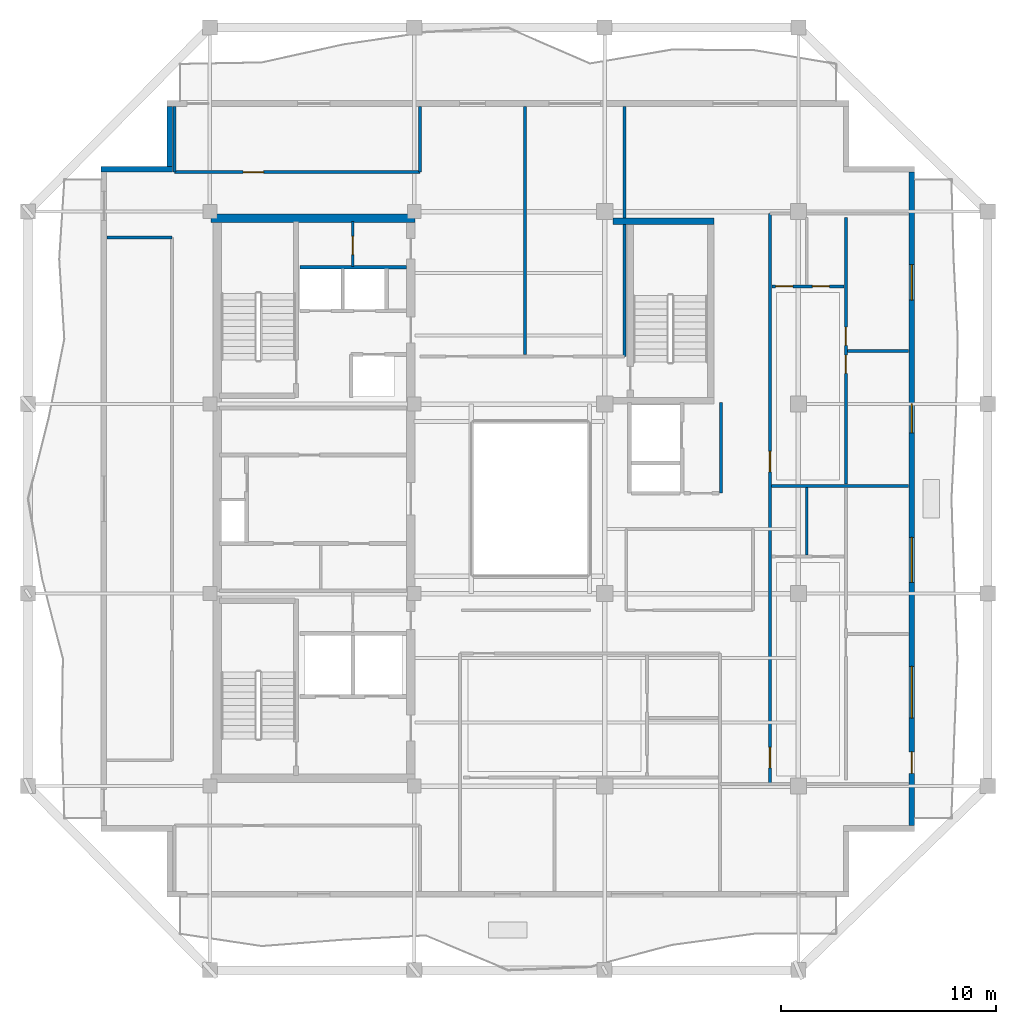
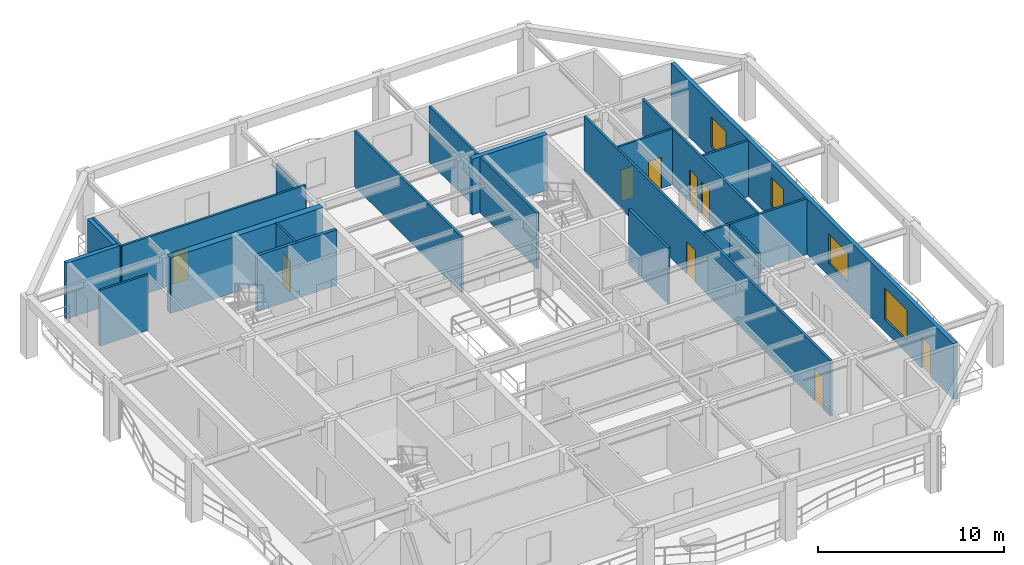
# One storey, part 5 of 10: 20 walls, 9 doors, 4 windows, 13 openings.
"""IFC4 building model written with IfcOpenShell, lengths in metres."""

from ifc_helpers import new_model, si_unit, direction, frame, frame_2d, origin, place, context, subcontext, project, spatial, rectangle, extrude, material, layer, layer_set, type_object, element, fill, save


model = new_model("IFC4")

# Units and contexts
model_context = context("Model", 3, precision=1e-05, world=origin(), true_north=direction((0.0, 1.0)))
body_context = subcontext(model_context, "Body", "Model", "MODEL_VIEW")
ifc_project = project(units=[si_unit("LENGTHUNIT", "METRE"), si_unit("AREAUNIT", "SQUARE_METRE"), si_unit("VOLUMEUNIT", "CUBIC_METRE"), si_unit("PLANEANGLEUNIT", "RADIAN"), si_unit("MASSUNIT", "GRAM", prefix="KILO")], contexts=[model_context])

# Site, building, storey
site_placement = place(None, origin())
site = spatial("IfcSite", under=ifc_project, at=site_placement, CompositionType="ELEMENT")
building_placement = place(site_placement, origin())
building = spatial("IfcBuilding", under=site, at=building_placement, Name="Kundavana Baori Tower", CompositionType="ELEMENT")
storey_placement = place(building_placement, frame((0.0, 0.0, 296.0)))
storey = spatial("IfcBuildingStorey", under=building, at=storey_placement, Name="L73", CompositionType="ELEMENT", Elevation=296.0)

# Wall
ifc_material_1 = material(Name="Concrete C50/60", Category="concrete")
ifc_layer_1 = layer(ifc_material_1, 0.39990234375, Name="WL-CORE-400")
ifc_layer_set_1 = layer_set([ifc_layer_1], Name="Concrete C50/60")
wall_type_1 = type_object("IfcWallType", Name="WL-CORE-400", PredefinedType="SHEAR", material=ifc_layer_set_1)
wall_1_placement = place(storey_placement, frame((15.5, 41.639892578125, 0.0), z_axis=(0.0, 0.0, 1.0), x_axis=(1.0, 0.0, 0.0)))
element("IfcWall", 1, at=wall_1_placement, inside=storey, type_object=wall_type_1, Name="L73 Offset Core North Shear Wall", PredefinedType="SHEAR", context=body_context, shape_type="SweptSolid", body=[
    extrude(rectangle(XDim=9.47998046875, YDim=0.39990234375, at=frame_2d((4.739990234375, 0.0))), origin(), (0.0, 0.0, 1.0), 3.659912109375),
])

# Wall, openings, door, windows
ifc_material_2 = material(Name="Kiln-Fired Terracotta Brick-Slip Masonry on Concrete C40/50", Category="masonry")
ifc_layer_2 = layer(ifc_material_2, 0.260009765625, Name="WL-EXT-BRK-260")
ifc_layer_set_2 = layer_set([ifc_layer_2], Name="Kiln-Fired Terracotta Brick-Slip Masonry on Concrete C40/50")
wall_type_2 = type_object("IfcWallType", Name="WL-EXT-BRK-260", PredefinedType="SOLIDWALL", material=ifc_layer_set_2)
wall_2_placement = place(storey_placement, frame((48.070068359375, 13.409912109375, 0.0), z_axis=(0.0, 0.0, 1.0), x_axis=(0.0, 1.0, 0.0)))
wall_2 = element("IfcWall", 2, at=wall_2_placement, inside=storey, type_object=wall_type_2, Name="L73 Exterior Insulated Facade Wall 04", PredefinedType="SOLIDWALL", context=body_context, shape_type="SweptSolid", body=[
    extrude(rectangle(XDim=30.380126953125, YDim=0.260009765625, at=frame_2d((15.18994140625, 0.0))), origin(), (0.0, 0.0, 1.0), 3.659912109375),
])
opening_1_placement = place(wall_2_placement, frame((2.429931640625, 0.0, 0.0)))
opening_1 = element("IfcOpeningElement", 3, at=opening_1_placement, cuts=wall_2, Name="Opening BD-1", PredefinedType="OPENING", context=body_context, shape_type="SweptSolid", body=[
    extrude(rectangle(XDim=1.0, YDim=2.050048828125, at=frame_2d((0.5, 1.02490234375))), frame((0.0, 0.14013671875, 0.0), z_axis=(0.0, -1.0, 0.0), x_axis=(1.0, 0.0, 0.0)), (0.0, 0.0, 1.0), 0.280029296875),
])
opening_2_placement = place(wall_2_placement, frame((5.001953125, 0.0, 0.800048828125)))
opening_2 = element("IfcOpeningElement", 4, at=opening_2_placement, cuts=wall_2, Name="Opening W-04", PredefinedType="OPENING", context=body_context, shape_type="SweptSolid", body=[
    extrude(rectangle(XDim=2.39990234375, YDim=2.050048828125, at=frame_2d((1.199951171875, 1.02490234375))), frame((0.0, 0.14013671875, 0.0), z_axis=(0.0, -1.0, 0.0), x_axis=(1.0, 0.0, 0.0)), (0.0, 0.0, 1.0), 0.280029296875),
])
opening_3_placement = place(wall_2_placement, frame((11.302001953125, 0.0, 0.800048828125)))
opening_3 = element("IfcOpeningElement", 5, at=opening_3_placement, cuts=wall_2, Name="Opening W-05", PredefinedType="OPENING", context=body_context, shape_type="SweptSolid", body=[
    extrude(rectangle(XDim=2.10009765625, YDim=1.949951171875, at=frame_2d((1.050048828125, 0.97509765625))), frame((0.0, 0.14013671875, 0.0), z_axis=(0.0, -1.0, 0.0), x_axis=(1.0, 0.0, 0.0)), (0.0, 0.0, 1.0), 0.280029296875),
])
opening_4_placement = place(wall_2_placement, frame((18.251953125, 0.0, 0.800048828125)))
opening_4 = element("IfcOpeningElement", 6, at=opening_4_placement, cuts=wall_2, Name="Opening W-07", PredefinedType="OPENING", context=body_context, shape_type="SweptSolid", body=[
    extrude(rectangle(XDim=1.35009765625, YDim=1.89990234375, at=frame_2d((0.675048828125, 0.949951171875))), frame((0.0, 0.14013671875, 0.0), z_axis=(0.0, -1.0, 0.0), x_axis=(1.0, 0.0, 0.0)), (0.0, 0.0, 1.0), 0.280029296875),
])
opening_5_placement = place(wall_2_placement, frame((24.427001953125, 0.0, 0.800048828125)))
opening_5 = element("IfcOpeningElement", 7, at=opening_5_placement, cuts=wall_2, Name="Opening W-08", PredefinedType="OPENING", context=body_context, shape_type="SweptSolid", body=[
    extrude(rectangle(XDim=1.64990234375, YDim=1.949951171875, at=frame_2d((0.824951171875, 0.97509765625))), frame((0.0, 0.14013671875, 0.0), z_axis=(0.0, -1.0, 0.0), x_axis=(1.0, 0.0, 0.0)), (0.0, 0.0, 1.0), 0.280029296875),
])
ifc_material_3 = material(Name="Architectural Patinated Bronze Metalwork")
door_type_1 = type_object("IfcDoorType", Name="DR-EXT-LOG-1000", OperationType="NOTDEFINED", PredefinedType="DOOR", material=ifc_material_3)
door_1_placement = place(opening_1_placement, frame((1.0, 0.0, 0.0), z_axis=(0.0, 0.0, 1.0), x_axis=(-1.0, 0.0, 0.0)))
door_1 = element("IfcDoor", 8, at=door_1_placement, inside=storey, type_object=door_type_1, Name="L73 Loggia Balcony Access Door E", OperationType="SINGLE_SWING_RIGHT", OverallHeight=2.050048828125, OverallWidth=1.0, PredefinedType="DOOR", context=body_context, shape_type="SweptSolid", body=[
    extrude(rectangle(XDim=1.0, YDim=2.050048828125, at=frame_2d((0.5, 1.02490234375))), frame((0.0, 0.02490234375, 0.0), z_axis=(0.0, -1.0, 0.0), x_axis=(1.0, 0.0, 0.0)), (0.0, 0.0, 1.0), 0.050048828125),
])
fill(opening_1, door_1)
ifc_material_4 = material(Name="Double-Glazed Solar-Control Low-E Insulated Glass", Category="glass")
window_type_1 = type_object("IfcWindowType", Name="WIN-LOG-1350x1900", PartitioningType="SINGLE_PANEL", PredefinedType="WINDOW", material=ifc_material_4)
window_1_placement = place(opening_4_placement, origin())
window_1 = element("IfcWindow", 9, at=window_1_placement, inside=storey, type_object=window_type_1, Name="L73 Recessed Loggia Window E-3", OverallHeight=1.89990234375, OverallWidth=1.35009765625, PartitioningType="SINGLE_PANEL", PredefinedType="WINDOW", context=body_context, shape_type="SweptSolid", body=[
    extrude(rectangle(XDim=1.35009765625, YDim=1.89990234375, at=frame_2d((0.675048828125, 0.949951171875))), frame((0.0, 0.030029296875, 0.0), z_axis=(0.0, -1.0, 0.0), x_axis=(1.0, 0.0, 0.0)), (0.0, 0.0, 1.0), 0.06005859375),
])
fill(opening_4, window_1)
ifc_material_5 = material(Name="Double-Glazed Solar-Control Low-E Insulated Glass", Category="glass")
window_type_2 = type_object("IfcWindowType", Name="WIN-LOG-1650x1950", PartitioningType="SINGLE_PANEL", PredefinedType="WINDOW", material=ifc_material_5)
window_2_placement = place(opening_5_placement, origin())
window_2 = element("IfcWindow", 10, at=window_2_placement, inside=storey, type_object=window_type_2, Name="L73 Recessed Loggia Window E-4", OverallHeight=1.949951171875, OverallWidth=1.64990234375, PartitioningType="SINGLE_PANEL", PredefinedType="WINDOW", context=body_context, shape_type="SweptSolid", body=[
    extrude(rectangle(XDim=1.64990234375, YDim=1.949951171875, at=frame_2d((0.824951171875, 0.97509765625))), frame((0.0, 0.030029296875, 0.0), z_axis=(0.0, -1.0, 0.0), x_axis=(1.0, 0.0, 0.0)), (0.0, 0.0, 1.0), 0.06005859375),
])
fill(opening_5, window_2)
ifc_material_6 = material(Name="Double-Glazed Solar-Control Low-E Insulated Glass", Category="glass")
window_type_3 = type_object("IfcWindowType", Name="WIN-LOG-2100x1950", PartitioningType="SINGLE_PANEL", PredefinedType="WINDOW", material=ifc_material_6)
window_3_placement = place(opening_3_placement, origin())
window_3 = element("IfcWindow", 11, at=window_3_placement, inside=storey, type_object=window_type_3, Name="L73 Recessed Loggia Window E-2", OverallHeight=1.949951171875, OverallWidth=2.10009765625, PartitioningType="SINGLE_PANEL", PredefinedType="WINDOW", context=body_context, shape_type="SweptSolid", body=[
    extrude(rectangle(XDim=2.10009765625, YDim=1.949951171875, at=frame_2d((1.050048828125, 0.97509765625))), frame((0.0, 0.030029296875, 0.0), z_axis=(0.0, -1.0, 0.0), x_axis=(1.0, 0.0, 0.0)), (0.0, 0.0, 1.0), 0.06005859375),
])
fill(opening_3, window_3)
ifc_material_7 = material(Name="Double-Glazed Solar-Control Low-E Insulated Glass", Category="glass")
window_type_4 = type_object("IfcWindowType", Name="WIN-LOG-2400x2050", PartitioningType="SINGLE_PANEL", PredefinedType="WINDOW", material=ifc_material_7)
window_4_placement = place(opening_2_placement, origin())
window_4 = element("IfcWindow", 12, at=window_4_placement, inside=storey, type_object=window_type_4, Name="L73 Recessed Loggia Window E-1", OverallHeight=2.050048828125, OverallWidth=2.39990234375, PartitioningType="SINGLE_PANEL", PredefinedType="WINDOW", context=body_context, shape_type="SweptSolid", body=[
    extrude(rectangle(XDim=2.39990234375, YDim=2.050048828125, at=frame_2d((1.199951171875, 1.02490234375))), frame((0.0, 0.030029296875, 0.0), z_axis=(0.0, -1.0, 0.0), x_axis=(1.0, 0.0, 0.0)), (0.0, 0.0, 1.0), 0.06005859375),
])
fill(opening_2, window_4)

# Walls
wall_3_placement = place(storey_placement, frame((13.580078125, 46.840087890625, 0.0), z_axis=(0.0, 0.0, 1.0), x_axis=(0.0, -1.0, 0.0)))
element("IfcWall", 13, at=wall_3_placement, inside=storey, type_object=wall_type_2, Name="L73 Exterior Insulated Facade Wall 08", PredefinedType="SOLIDWALL", context=body_context, shape_type="SweptSolid", body=[
    extrude(rectangle(XDim=2.7900390625, YDim=0.260009765625, at=frame_2d((1.39501953125, 0.0))), origin(), (0.0, 0.0, 1.0), 3.659912109375),
])
wall_4_placement = place(storey_placement, frame((13.7099609375, 43.919921875, 0.0), z_axis=(0.0, 0.0, 1.0), x_axis=(-1.0, 0.0, 0.0)))
element("IfcWall", 14, at=wall_4_placement, inside=storey, type_object=wall_type_2, Name="L73 Exterior Insulated Facade Wall 09", PredefinedType="SOLIDWALL", context=body_context, shape_type="SweptSolid", body=[
    extrude(rectangle(XDim=3.31005859375, YDim=0.260009765625, at=frame_2d((1.655029296875, 0.0))), origin(), (0.0, 0.0, 1.0), 3.659912109375),
])

# Wall, opening, door
ifc_material_8 = material(Name="Acoustic Gypsum Plasterboard on Galvanised Steel Studs", Category="steel")
ifc_layer_3 = layer(ifc_material_8, 0.1201171875, Name="WL-PART-120")
ifc_layer_set_3 = layer_set([ifc_layer_3], Name="Acoustic Gypsum Plasterboard on Galvanised Steel Studs")
wall_type_3 = type_object("IfcWallType", Name="WL-PART-120", PredefinedType="PARTITIONING", material=ifc_layer_set_3)
wall_5_placement = place(storey_placement, frame((22.10009765625, 39.39990234375, 0.0), z_axis=(0.0, 0.0, 1.0), x_axis=(0.0, 1.0, 0.0)))
wall_5 = element("IfcWall", 15, at=wall_5_placement, inside=storey, type_object=wall_type_3, Name="WL-L73-CSRV-D1", PredefinedType="PARTITIONING", context=body_context, shape_type="SweptSolid", body=[
    extrude(rectangle(XDim=2.080078125, YDim=0.1201171875, at=frame_2d((1.0400390625, 0.0))), origin(), (0.0, 0.0, 1.0), 3.659912109375),
])
opening_6_placement = place(wall_5_placement, frame((0.550048828125, 0.0, 0.0)))
opening_6 = element("IfcOpeningElement", 16, at=opening_6_placement, cuts=wall_5, Name="Opening FD-085", PredefinedType="OPENING", context=body_context, shape_type="SweptSolid", body=[
    extrude(rectangle(XDim=0.85009765625, YDim=2.06005859375, at=frame_2d((0.425048828125, 1.030029296875))), frame((0.0, 0.070068359375, 0.0), z_axis=(0.0, -1.0, 0.0), x_axis=(1.0, 0.0, 0.0)), (0.0, 0.0, 1.0), 0.14013671875),
])
ifc_material_9 = material(Name="Galvanised Steel Fire-Rated Door Leaf", Category="steel")
door_type_2 = type_object("IfcDoorType", Name="DR-FD60-850", OperationType="NOTDEFINED", PredefinedType="DOOR", material=ifc_material_9)
door_2_placement = place(opening_6_placement, origin())
door_2 = element("IfcDoor", 17, at=door_2_placement, inside=storey, type_object=door_type_2, Name="DR-L73-CSRV1", OperationType="SINGLE_SWING_LEFT", OverallHeight=2.06005859375, OverallWidth=0.85009765625, PredefinedType="DOOR", context=body_context, shape_type="SweptSolid", body=[
    extrude(rectangle(XDim=0.85009765625, YDim=2.06005859375, at=frame_2d((0.425048828125, 1.030029296875))), frame((0.0, 0.02490234375, 0.0), z_axis=(0.0, -1.0, 0.0), x_axis=(1.0, 0.0, 0.0)), (0.0, 0.0, 1.0), 0.050048828125),
])
fill(opening_6, door_2)

ifc_material_10 = material(Name="Acoustic Gypsum Plasterboard on Galvanised Steel Studs", Category="steel")
ifc_layer_4 = layer(ifc_material_10, 0.135009765625, Name="WL-PART-135")
ifc_layer_set_4 = layer_set([ifc_layer_4], Name="Acoustic Gypsum Plasterboard on Galvanised Steel Studs")
wall_type_4 = type_object("IfcWallType", Name="WL-PART-135", PredefinedType="PARTITIONING", material=ifc_layer_set_4)
wall_6_placement = place(storey_placement, frame((13.800048828125, 43.780029296875, 0.0), z_axis=(0.0, 0.0, 1.0), x_axis=(1.0, 0.0, 0.0)))
wall_6 = element("IfcWall", 18, at=wall_6_placement, inside=storey, type_object=wall_type_4, Name="WL-L73-RNC", PredefinedType="PARTITIONING", context=body_context, shape_type="SweptSolid", body=[
    extrude(rectangle(XDim=11.419921875, YDim=0.135009765625, at=frame_2d((5.7099609375, 0.0))), origin(), (0.0, 0.0, 1.0), 3.659912109375),
])
opening_7_placement = place(wall_6_placement, frame((3.199951171875, 0.0, 0.0)))
opening_7 = element("IfcOpeningElement", 19, at=opening_7_placement, cuts=wall_6, Name="Opening ID-095", PredefinedType="OPENING", context=body_context, shape_type="SweptSolid", body=[
    extrude(rectangle(XDim=0.949951171875, YDim=2.080078125, at=frame_2d((0.47509765625, 1.0400390625))), frame((0.0, 0.07763671875, 0.0), z_axis=(0.0, -1.0, 0.0), x_axis=(1.0, 0.0, 0.0)), (0.0, 0.0, 1.0), 0.155029296875),
])
ifc_material_11 = material(Name="Engineered Teak Solid-Core Timber Veneer", Category="wood")
door_type_3 = type_object("IfcDoorType", Name="DR-INT-950", OperationType="NOTDEFINED", PredefinedType="DOOR", material=ifc_material_11)
door_3_placement = place(opening_7_placement, origin())
door_3 = element("IfcDoor", 20, at=door_3_placement, inside=storey, type_object=door_type_3, Name="DR-L73-RMNW", OperationType="SINGLE_SWING_RIGHT", OverallHeight=2.080078125, OverallWidth=0.949951171875, PredefinedType="DOOR", context=body_context, shape_type="SweptSolid", body=[
    extrude(rectangle(XDim=0.949951171875, YDim=2.080078125, at=frame_2d((0.47509765625, 1.0400390625))), frame((0.0, 0.02490234375, 0.0), z_axis=(0.0, -1.0, 0.0), x_axis=(1.0, 0.0, 0.0)), (0.0, 0.0, 1.0), 0.050048828125),
])
fill(opening_7, door_3)

# Walls
wall_7_placement = place(storey_placement, frame((13.800048828125, 43.780029296875, 0.0), z_axis=(0.0, 0.0, 1.0), x_axis=(0.0, 1.0, 0.0)))
element("IfcWall", 21, at=wall_7_placement, inside=storey, type_object=wall_type_4, Name="WL-L73-RNCW", PredefinedType="PARTITIONING", context=body_context, shape_type="SweptSolid", body=[
    extrude(rectangle(XDim=3.0400390625, YDim=0.135009765625, at=frame_2d((1.52001953125, 0.0))), origin(), (0.0, 0.0, 1.0), 3.659912109375),
])
wall_8_placement = place(storey_placement, frame((25.219970703125, 43.780029296875, 0.0), z_axis=(0.0, 0.0, 1.0), x_axis=(0.0, 1.0, 0.0)))
element("IfcWall", 22, at=wall_8_placement, inside=storey, type_object=wall_type_4, Name="WL-L73-RNCE", PredefinedType="PARTITIONING", context=body_context, shape_type="SweptSolid", body=[
    extrude(rectangle(XDim=3.0400390625, YDim=0.135009765625, at=frame_2d((1.52001953125, 0.0))), origin(), (0.0, 0.0, 1.0), 3.2099609375),
])
wall_9_placement = place(storey_placement, frame((10.679931640625, 40.75, 0.0), z_axis=(0.0, 0.0, 1.0), x_axis=(1.0, 0.0, 0.0)))
element("IfcWall", 23, at=wall_9_placement, inside=storey, type_object=wall_type_4, Name="WL-L73-RWN", PredefinedType="PARTITIONING", context=body_context, shape_type="SweptSolid", body=[
    extrude(rectangle(XDim=3.02001953125, YDim=0.135009765625, at=frame_2d((1.510009765625, 0.0))), origin(), (0.0, 0.0, 1.0), 3.659912109375),
])
wall_10_placement = place(storey_placement, frame((34.719970703125, 35.219970703125, 0.0), z_axis=(0.0, 0.0, 1.0), x_axis=(0.0, 1.0, 0.0)))
element("IfcWall", 24, at=wall_10_placement, inside=storey, type_object=wall_type_4, Name="WL-L73-RNEND", PredefinedType="PARTITIONING", context=body_context, shape_type="SweptSolid", body=[
    extrude(rectangle(XDim=11.60009765625, YDim=0.135009765625, at=frame_2d((5.800048828125, 0.0))), origin(), (0.0, 0.0, 1.0), 3.659912109375),
])
wall_11_placement = place(storey_placement, frame((30.10009765625, 35.300048828125, 0.0), z_axis=(0.0, 0.0, 1.0), x_axis=(0.0, 1.0, 0.0)))
element("IfcWall", 25, at=wall_11_placement, inside=storey, type_object=wall_type_4, Name="WL-L73-RND1", PredefinedType="PARTITIONING", context=body_context, shape_type="SweptSolid", body=[
    extrude(rectangle(XDim=11.52001953125, YDim=0.135009765625, at=frame_2d((5.760009765625, 0.0))), origin(), (0.0, 0.0, 1.0), 3.659912109375),
])

# Wall, openings, doors
wall_12_placement = place(storey_placement, frame((41.47998046875, 15.35009765625, 0.0), z_axis=(0.0, 0.0, 1.0), x_axis=(0.0, 1.0, 0.0)))
wall_12 = element("IfcWall", 26, at=wall_12_placement, inside=storey, type_object=wall_type_4, Name="WL-L73-RE", PredefinedType="PARTITIONING", context=body_context, shape_type="SweptSolid", body=[
    extrude(rectangle(XDim=26.5, YDim=0.135009765625, at=frame_2d((13.25, 0.0))), origin(), (0.0, 0.0, 1.0), 3.659912109375),
])
opening_8_placement = place(wall_12_placement, frame((0.75, 0.0, 0.0)))
opening_8 = element("IfcOpeningElement", 27, at=opening_8_placement, cuts=wall_12, Name="Opening FD-095", PredefinedType="OPENING", context=body_context, shape_type="SweptSolid", body=[
    extrude(rectangle(XDim=0.949951171875, YDim=2.10009765625, at=frame_2d((0.47509765625, 1.050048828125))), frame((0.0, 0.07763671875, 0.0), z_axis=(0.0, -1.0, 0.0), x_axis=(1.0, 0.0, 0.0)), (0.0, 0.0, 1.0), 0.155029296875),
])
opening_9_placement = place(wall_12_placement, frame((14.5, 0.0, 0.0)))
opening_9 = element("IfcOpeningElement", 28, at=opening_9_placement, cuts=wall_12, Name="Opening FD-095", PredefinedType="OPENING", context=body_context, shape_type="SweptSolid", body=[
    extrude(rectangle(XDim=0.949951171875, YDim=2.10009765625, at=frame_2d((0.47509765625, 1.050048828125))), frame((0.0, 0.07763671875, 0.0), z_axis=(0.0, -1.0, 0.0), x_axis=(1.0, 0.0, 0.0)), (0.0, 0.0, 1.0), 0.155029296875),
])
ifc_material_12 = material(Name="Engineered Teak Fire-Rated Timber Door Leaf", Category="wood")
door_type_4 = type_object("IfcDoorType", Name="DR-FD60-950", OperationType="NOTDEFINED", PredefinedType="DOOR", material=ifc_material_12)
door_4_placement = place(opening_8_placement, origin())
door_4 = element("IfcDoor", 29, at=door_4_placement, inside=storey, type_object=door_type_4, Name="DR-L73-E1-ENT", OperationType="SINGLE_SWING_LEFT", OverallHeight=2.10009765625, OverallWidth=0.949951171875, PredefinedType="DOOR", context=body_context, shape_type="SweptSolid", body=[
    extrude(rectangle(XDim=0.949951171875, YDim=2.10009765625, at=frame_2d((0.47509765625, 1.050048828125))), frame((0.0, 0.02490234375, 0.0), z_axis=(0.0, -1.0, 0.0), x_axis=(1.0, 0.0, 0.0)), (0.0, 0.0, 1.0), 0.050048828125),
])
fill(opening_8, door_4)
door_5_placement = place(opening_9_placement, origin())
door_5 = element("IfcDoor", 30, at=door_5_placement, inside=storey, type_object=door_type_4, Name="DR-L73-E2-ENT", OperationType="SINGLE_SWING_LEFT", OverallHeight=2.10009765625, OverallWidth=0.949951171875, PredefinedType="DOOR", context=body_context, shape_type="SweptSolid", body=[
    extrude(rectangle(XDim=0.949951171875, YDim=2.10009765625, at=frame_2d((0.47509765625, 1.050048828125))), frame((0.0, 0.02490234375, 0.0), z_axis=(0.0, -1.0, 0.0), x_axis=(1.0, 0.0, 0.0)), (0.0, 0.0, 1.0), 0.050048828125),
])
fill(opening_9, door_5)

# Wall
wall_13_placement = place(storey_placement, frame((41.56005859375, 29.199951171875, 0.0), z_axis=(0.0, 0.0, 1.0), x_axis=(1.0, 0.0, 0.0)))
element("IfcWall", 31, at=wall_13_placement, inside=storey, type_object=wall_type_4, Name="WL-L73-RED1", PredefinedType="PARTITIONING", context=body_context, shape_type="SweptSolid", body=[
    extrude(rectangle(XDim=6.35986328125, YDim=0.135009765625, at=frame_2d((3.179931640625, 0.0))), origin(), (0.0, 0.0, 1.0), 3.659912109375),
])

# Wall, openings, doors
wall_14_placement = place(storey_placement, frame((45.00390625, 29.280029296875, 0.0), z_axis=(0.0, 0.0, 1.0), x_axis=(0.0, 1.0, 0.0)))
wall_14 = element("IfcWall", 32, at=wall_14_placement, inside=storey, type_object=wall_type_4, Name="WL-L73-E2-VT", PredefinedType="PARTITIONING", context=body_context, shape_type="SweptSolid", body=[
    extrude(rectangle(XDim=12.389892578125, YDim=0.135009765625, at=frame_2d((6.19482421875, 0.0))), origin(), (0.0, 0.0, 1.0), 3.659912109375),
])
opening_10_placement = place(wall_14_placement, frame((5.14501953125, 0.0, 0.0)))
opening_10 = element("IfcOpeningElement", 33, at=opening_10_placement, cuts=wall_14, Name="Opening ID-085", PredefinedType="OPENING", context=body_context, shape_type="SweptSolid", body=[
    extrude(rectangle(XDim=0.85009765625, YDim=2.080078125, at=frame_2d((0.425048828125, 1.0400390625))), frame((0.0, 0.07763671875, 0.0), z_axis=(0.0, -1.0, 0.0), x_axis=(1.0, 0.0, 0.0)), (0.0, 0.0, 1.0), 0.155029296875),
])
opening_11_placement = place(wall_14_placement, frame((6.445068359375, 0.0, 0.0)))
opening_11 = element("IfcOpeningElement", 34, at=opening_11_placement, cuts=wall_14, Name="Opening ID-085", PredefinedType="OPENING", context=body_context, shape_type="SweptSolid", body=[
    extrude(rectangle(XDim=0.85009765625, YDim=2.080078125, at=frame_2d((0.425048828125, 1.0400390625))), frame((0.0, 0.07763671875, 0.0), z_axis=(0.0, -1.0, 0.0), x_axis=(1.0, 0.0, 0.0)), (0.0, 0.0, 1.0), 0.155029296875),
])
ifc_material_13 = material(Name="Engineered Teak Solid-Core Timber Veneer", Category="wood")
door_type_5 = type_object("IfcDoorType", Name="DR-INT-850", OperationType="NOTDEFINED", PredefinedType="DOOR", material=ifc_material_13)
door_6_placement = place(opening_10_placement, origin())
door_6 = element("IfcDoor", 35, at=door_6_placement, inside=storey, type_object=door_type_5, Name="DR-L73-E2-B1", OperationType="SINGLE_SWING_LEFT", OverallHeight=2.080078125, OverallWidth=0.85009765625, PredefinedType="DOOR", context=body_context, shape_type="SweptSolid", body=[
    extrude(rectangle(XDim=0.85009765625, YDim=2.080078125, at=frame_2d((0.425048828125, 1.0400390625))), frame((0.0, 0.02490234375, 0.0), z_axis=(0.0, -1.0, 0.0), x_axis=(1.0, 0.0, 0.0)), (0.0, 0.0, 1.0), 0.050048828125),
])
fill(opening_10, door_6)
door_7_placement = place(opening_11_placement, origin())
door_7 = element("IfcDoor", 36, at=door_7_placement, inside=storey, type_object=door_type_5, Name="DR-L73-E2-B2", OperationType="SINGLE_SWING_RIGHT", OverallHeight=2.080078125, OverallWidth=0.85009765625, PredefinedType="DOOR", context=body_context, shape_type="SweptSolid", body=[
    extrude(rectangle(XDim=0.85009765625, YDim=2.080078125, at=frame_2d((0.425048828125, 1.0400390625))), frame((0.0, 0.02490234375, 0.0), z_axis=(0.0, -1.0, 0.0), x_axis=(1.0, 0.0, 0.0)), (0.0, 0.0, 1.0), 0.050048828125),
])
fill(opening_11, door_7)

# Walls
wall_15_placement = place(storey_placement, frame((45.083984375, 35.47509765625, 0.0), z_axis=(0.0, 0.0, 1.0), x_axis=(1.0, 0.0, 0.0)))
element("IfcWall", 37, at=wall_15_placement, inside=storey, type_object=wall_type_4, Name="WL-L73-E2-BDH", PredefinedType="PARTITIONING", context=body_context, shape_type="SweptSolid", body=[
    extrude(rectangle(XDim=2.8359375, YDim=0.135009765625, at=frame_2d((1.41796875, 0.0))), origin(), (0.0, 0.0, 1.0), 3.659912109375),
])
ifc_material_14 = material(Name="Fire-Rated Gypsum Drywall on Galvanised Steel Studs", Category="steel")
ifc_layer_5 = layer(ifc_material_14, 0.14990234375, Name="WL-PART-150")
ifc_layer_set_5 = layer_set([ifc_layer_5], Name="Fire-Rated Gypsum Drywall on Galvanised Steel Studs")
wall_type_5 = type_object("IfcWallType", Name="WL-PART-150", PredefinedType="PARTITIONING", material=ifc_layer_set_5)
wall_16_placement = place(storey_placement, frame((39.199951171875, 28.860107421875, 0.0), z_axis=(0.0, 0.0, 1.0), x_axis=(0.0, 1.0, 0.0)))
element("IfcWall", 38, at=wall_16_placement, inside=storey, type_object=wall_type_5, Name="WL-L73-SVLOB-E", PredefinedType="PARTITIONING", context=body_context, shape_type="SweptSolid", body=[
    extrude(rectangle(XDim=4.219970703125, YDim=0.14990234375, at=frame_2d((2.10986328125, 0.0))), origin(), (0.0, 0.0, 1.0), 3.659912109375),
])
ifc_material_15 = material(Name="Autoclaved Aerated Concrete Blockwork Masonry", Category="masonry")
ifc_layer_6 = layer(ifc_material_15, 0.179931640625, Name="WL-SHAFT-180")
ifc_layer_set_6 = layer_set([ifc_layer_6], Name="Autoclaved Aerated Concrete Blockwork Masonry")
wall_type_6 = type_object("IfcWallType", Name="WL-SHAFT-180", PredefinedType="SOLIDWALL", material=ifc_layer_set_6)
wall_17_placement = place(storey_placement, frame((19.639892578125, 39.360107421875, 0.0), z_axis=(0.0, 0.0, 1.0), x_axis=(1.0, 0.0, 0.0)))
element("IfcWall", 39, at=wall_17_placement, inside=storey, type_object=wall_type_6, Name="WL-L73-HRLOB-TOP", PredefinedType="SOLIDWALL", context=body_context, shape_type="SweptSolid", body=[
    extrude(rectangle(XDim=4.940185546875, YDim=0.179931640625, at=frame_2d((2.47021484375, 0.0))), origin(), (0.0, 0.0, 1.0), 3.659912109375),
])
ifc_material_16 = material(Name="Concrete C50/60", Category="concrete")
ifc_layer_7 = layer(ifc_material_16, 0.300048828125, Name="WL-ST3-300")
ifc_layer_set_7 = layer_set([ifc_layer_7], Name="Concrete C50/60")
wall_type_7 = type_object("IfcWallType", Name="WL-ST3-300", PredefinedType="SHEAR", material=ifc_layer_set_7)
wall_18_placement = place(storey_placement, frame((34.175048828125, 41.489990234375, 0.0), z_axis=(0.0, 0.0, 1.0), x_axis=(1.0, 0.0, 0.0)))
element("IfcWall", 40, at=wall_18_placement, inside=storey, type_object=wall_type_7, Name="L73 Stair ST3 North Shear Wall", PredefinedType="SHEAR", context=body_context, shape_type="SweptSolid", body=[
    extrude(rectangle(XDim=4.695068359375, YDim=0.300048828125, at=frame_2d((2.34765625, 0.0))), origin(), (0.0, 0.0, 1.0), 3.659912109375),
])
ifc_material_17 = material(Name="Autoclaved Aerated Concrete Blockwork Masonry", Category="masonry")
ifc_layer_8 = layer(ifc_material_17, 0.125, Name="WL-WET-120")
ifc_layer_set_8 = layer_set([ifc_layer_8], Name="Autoclaved Aerated Concrete Blockwork Masonry")
wall_type_8 = type_object("IfcWallType", Name="WL-WET-120", PredefinedType="PLUMBINGWALL", material=ifc_layer_set_8)
wall_19_placement = place(storey_placement, frame((43.18505859375, 26.0, 0.0), z_axis=(0.0, 0.0, 1.0), x_axis=(0.0, 1.0, 0.0)))
element("IfcWall", 41, at=wall_19_placement, inside=storey, type_object=wall_type_8, Name="WL-L73-E1-BV", PredefinedType="PLUMBINGWALL", context=body_context, shape_type="SweptSolid", body=[
    extrude(rectangle(XDim=3.1201171875, YDim=0.125, at=frame_2d((1.56005859375, 0.0))), origin(), (0.0, 0.0, 1.0), 3.659912109375),
])

# Wall, openings, doors
wall_20_placement = place(storey_placement, frame((41.580078125, 38.469970703125, 0.0), z_axis=(0.0, 0.0, 1.0), x_axis=(1.0, 0.0, 0.0)))
wall_20 = element("IfcWall", 42, at=wall_20_placement, inside=storey, type_object=wall_type_8, Name="WL-L73-E2-KH", PredefinedType="PLUMBINGWALL", context=body_context, shape_type="SweptSolid", body=[
    extrude(rectangle(XDim=3.343994140625, YDim=0.125, at=frame_2d((1.671875, 0.0))), origin(), (0.0, 0.0, 1.0), 3.659912109375),
])
opening_12_placement = place(wall_20_placement, frame((0.159912109375, 0.0, 0.0)))
opening_12 = element("IfcOpeningElement", 43, at=opening_12_placement, cuts=wall_20, Name="Opening WD-080", PredefinedType="OPENING", context=body_context, shape_type="SweptSolid", body=[
    extrude(rectangle(XDim=0.800048828125, YDim=2.050048828125, at=frame_2d((0.39990234375, 1.02490234375))), frame((0.0, 0.072509765625, 0.0), z_axis=(0.0, -1.0, 0.0), x_axis=(1.0, 0.0, 0.0)), (0.0, 0.0, 1.0), 0.14501953125),
])
opening_13_placement = place(wall_20_placement, frame((1.864990234375, 0.0, 0.0)))
opening_13 = element("IfcOpeningElement", 44, at=opening_13_placement, cuts=wall_20, Name="Opening WD-080", PredefinedType="OPENING", context=body_context, shape_type="SweptSolid", body=[
    extrude(rectangle(XDim=0.800048828125, YDim=2.050048828125, at=frame_2d((0.39990234375, 1.02490234375))), frame((0.0, 0.072509765625, 0.0), z_axis=(0.0, -1.0, 0.0), x_axis=(1.0, 0.0, 0.0)), (0.0, 0.0, 1.0), 0.14501953125),
])
ifc_material_18 = material(Name="Engineered Teak Solid-Core Timber Veneer", Category="wood")
door_type_6 = type_object("IfcDoorType", Name="DR-WET-800", OperationType="NOTDEFINED", PredefinedType="DOOR", material=ifc_material_18)
door_8_placement = place(opening_12_placement, origin())
door_8 = element("IfcDoor", 45, at=door_8_placement, inside=storey, type_object=door_type_6, Name="DR-L73-E2-BT", OperationType="SINGLE_SWING_LEFT", OverallHeight=2.050048828125, OverallWidth=0.800048828125, PredefinedType="DOOR", context=body_context, shape_type="SweptSolid", body=[
    extrude(rectangle(XDim=0.800048828125, YDim=2.050048828125, at=frame_2d((0.39990234375, 1.02490234375))), frame((0.0, 0.02490234375, 0.0), z_axis=(0.0, -1.0, 0.0), x_axis=(1.0, 0.0, 0.0)), (0.0, 0.0, 1.0), 0.050048828125),
])
fill(opening_12, door_8)
door_9_placement = place(opening_13_placement, origin())
door_9 = element("IfcDoor", 46, at=door_9_placement, inside=storey, type_object=door_type_6, Name="DR-L73-E2-KT", OperationType="SINGLE_SWING_RIGHT", OverallHeight=2.050048828125, OverallWidth=0.800048828125, PredefinedType="DOOR", context=body_context, shape_type="SweptSolid", body=[
    extrude(rectangle(XDim=0.800048828125, YDim=2.050048828125, at=frame_2d((0.39990234375, 1.02490234375))), frame((0.0, 0.02490234375, 0.0), z_axis=(0.0, -1.0, 0.0), x_axis=(1.0, 0.0, 0.0)), (0.0, 0.0, 1.0), 0.050048828125),
])
fill(opening_13, door_9)

save(model, "model.ifc")
